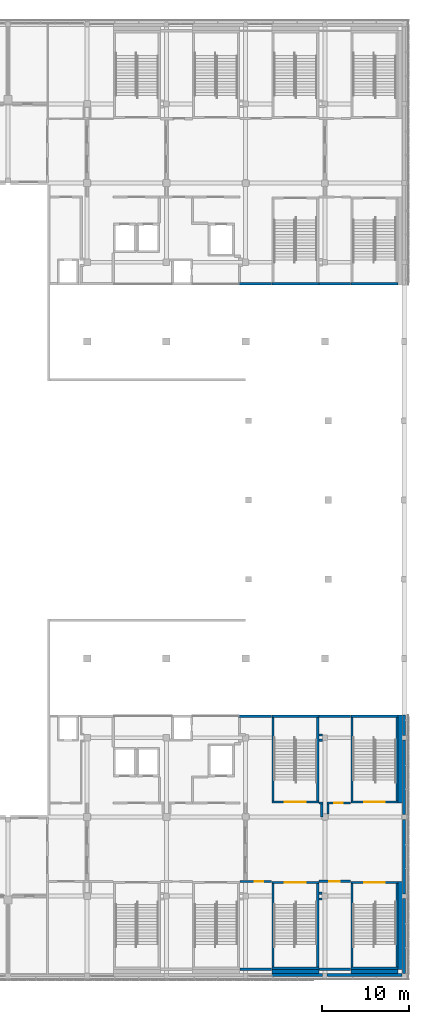
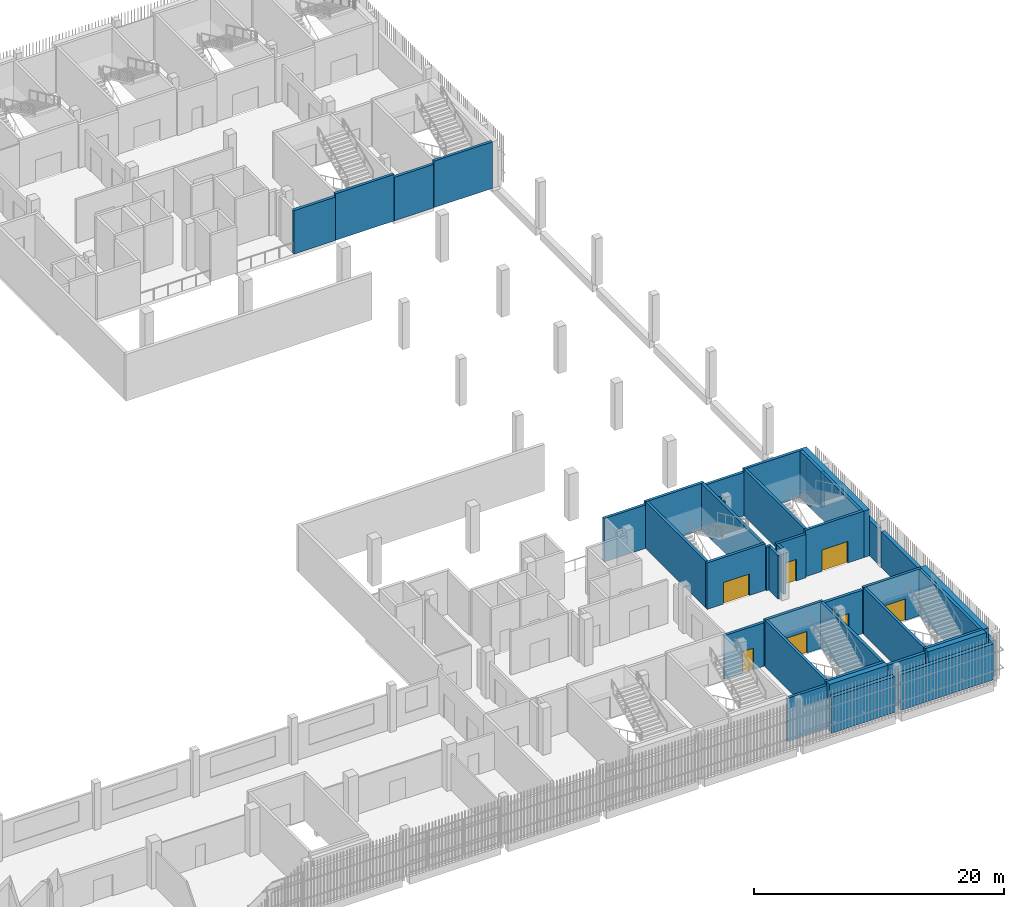
# One storey, part 67 of 104: 44 walls, 7 doors, 7 openings.
"""IFC4 building model written with IfcOpenShell, lengths in metres."""

from ifc_helpers import new_model, si_unit, direction, frame, frame_2d, origin, place, context, subcontext, project, spatial, rectangle, extrude, material, layer, layer_set, type_object, element, fill, save


model = new_model("IFC4")

# Units and contexts
model_context = context("Model", 3, precision=1e-05, world=origin(), true_north=direction((0.0, 1.0)))
body_context = subcontext(model_context, "Body", "Model", "MODEL_VIEW")
ifc_project = project(units=[si_unit("LENGTHUNIT", "METRE"), si_unit("AREAUNIT", "SQUARE_METRE"), si_unit("VOLUMEUNIT", "CUBIC_METRE"), si_unit("PLANEANGLEUNIT", "RADIAN"), si_unit("MASSUNIT", "GRAM", prefix="KILO")], contexts=[model_context])

# Site, building, storey
site_placement = place(None, origin())
site = spatial("IfcSite", under=ifc_project, at=site_placement, CompositionType="ELEMENT")
building_placement = place(site_placement, origin())
building = spatial("IfcBuilding", under=site, at=building_placement, Name="Shirokan Park Arena", CompositionType="ELEMENT")
storey_placement = place(building_placement, frame((0.0, 0.0, 10.919921875)))
storey = spatial("IfcBuildingStorey", under=building, at=storey_placement, Name="L02", CompositionType="ELEMENT", Elevation=10.919921875)

# Wall
ifc_material_1 = material(Name="Plaster")
ifc_layer_1 = layer(ifc_material_1, 0.014892578125, Name="Plaster")
ifc_material_2 = material(Name="Concrete blockwork", Category="masonry")
ifc_layer_2 = layer(ifc_material_2, 0.219970703125, Name="Concrete blockwork 220")
ifc_layer_3 = layer(ifc_material_1, 0.014892578125, Name="Plaster")
ifc_layer_set_1 = layer_set([ifc_layer_1, ifc_layer_2, ifc_layer_3], Name="Plaster + Concrete blockwork 220")
wall_type_1 = type_object("IfcWallType", Name="Compartment wall 250", PredefinedType="SOLIDWALL", material=ifc_layer_set_1)
wall_1_placement = place(storey_placement, frame((126.574951171875, 29.77490234375, 0.0), z_axis=(0.0, 0.0, 1.0), x_axis=(1.0, 0.0, 0.0)))
element("IfcWall", 1, at=wall_1_placement, inside=storey, type_object=wall_type_1, Name="Compartment wall 250 L02", PredefinedType="SOLIDWALL", context=body_context, shape_type="SweptSolid", body=[
    extrude(rectangle(XDim=3.795166015625, YDim=0.25, at=frame_2d((1.8974609375, 0.0))), origin(), (0.0, 0.0, 1.0), 4.25),
])

# Wall, opening, door
wall_2_placement = place(storey_placement, frame((126.72998046875, 10.800048828125, 0.0), z_axis=(0.0, 0.0, 1.0), x_axis=(1.0, 0.0, 0.0)))
wall_2 = element("IfcWall", 2, at=wall_2_placement, inside=storey, type_object=wall_type_1, Name="Compartment wall 250 L02", PredefinedType="SOLIDWALL", context=body_context, shape_type="SweptSolid", body=[
    extrude(rectangle(XDim=3.64013671875, YDim=0.25, at=frame_2d((1.820068359375, 0.0))), origin(), (0.0, 0.0, 1.0), 4.25),
])
opening_1_placement = place(wall_2_placement, frame((1.68994140625, 0.0, 0.0)))
opening_1 = element("IfcOpeningElement", 3, at=opening_1_placement, cuts=wall_2, Name="Opening D-2014", PredefinedType="OPENING", context=body_context, shape_type="SweptSolid", body=[
    extrude(rectangle(XDim=1.0, YDim=2.10009765625, at=frame_2d((0.5, 1.050048828125))), frame((0.0, 0.135009765625, 0.0), z_axis=(0.0, -1.0, 0.0), x_axis=(1.0, 0.0, 0.0)), (0.0, 0.0, 1.0), 0.27001953125),
])
ifc_material_3 = material(Name="Timber door set, fire resisting", Category="wood")
door_type_1 = type_object("IfcDoorType", Name="Door 1000 x 2100", OperationType="SINGLE_SWING_LEFT", PredefinedType="DOOR", material=ifc_material_3)
door_1_placement = place(opening_1_placement, origin())
door_1 = element("IfcDoor", 4, at=door_1_placement, inside=storey, type_object=door_type_1, Name="Door to Glass Wash Room 2.21 D-2014", OperationType="SINGLE_SWING_RIGHT", OverallHeight=2.10009765625, OverallWidth=1.0, PredefinedType="DOOR", context=body_context, shape_type="SweptSolid", body=[
    extrude(rectangle(XDim=1.0, YDim=2.10009765625, at=frame_2d((0.5, 1.050048828125))), frame((0.0, 0.02490234375, 0.0), z_axis=(0.0, -1.0, 0.0), x_axis=(1.0, 0.0, 0.0)), (0.0, 0.0, 1.0), 0.050048828125),
])
fill(opening_1, door_1)

# Walls
wall_3_placement = place(storey_placement, frame((130.3701171875, 0.699951171875, 0.0), z_axis=(0.0, 0.0, 1.0), x_axis=(-1.0, 0.0, 0.0)))
element("IfcWall", 5, at=wall_3_placement, inside=storey, type_object=wall_type_1, Name="Compartment wall 250 L02", PredefinedType="SOLIDWALL", context=body_context, shape_type="SweptSolid", body=[
    extrude(rectangle(XDim=3.64013671875, YDim=0.25, at=frame_2d((1.820068359375, 0.0))), origin(), (0.0, 0.0, 1.0), 4.25),
])
wall_4_placement = place(storey_placement, frame((135.830078125, 19.800048828125, 0.0), z_axis=(0.0, 0.0, 1.0), x_axis=(1.0, 0.0, 0.0)))
element("IfcWall", 6, at=wall_4_placement, inside=storey, type_object=wall_type_1, Name="Compartment wall 250 L02", PredefinedType="SOLIDWALL", context=body_context, shape_type="SweptSolid", body=[
    extrude(rectangle(XDim=0.44482421875, YDim=0.25, at=frame_2d((0.222412109375, 0.0))), origin(), (0.0, 0.0, 1.0), 4.25),
])
wall_5_placement = place(storey_placement, frame((135.830078125, 27.0, 0.0), z_axis=(0.0, 0.0, 1.0), x_axis=(1.0, 0.0, 0.0)))
element("IfcWall", 7, at=wall_5_placement, inside=storey, type_object=wall_type_1, Name="Compartment wall 250 L02", PredefinedType="SOLIDWALL", context=body_context, shape_type="SweptSolid", body=[
    extrude(rectangle(XDim=0.369873046875, YDim=0.25, at=frame_2d((0.18505859375, 0.0))), origin(), (0.0, 0.0, 1.0), 4.25),
])
wall_6_placement = place(storey_placement, frame((135.830078125, 29.77490234375, 0.0), z_axis=(0.0, 0.0, 1.0), x_axis=(1.0, 0.0, 0.0)))
element("IfcWall", 8, at=wall_6_placement, inside=storey, type_object=wall_type_1, Name="Compartment wall 250 L02", PredefinedType="SOLIDWALL", context=body_context, shape_type="SweptSolid", body=[
    extrude(rectangle(XDim=3.639892578125, YDim=0.25, at=frame_2d((1.81982421875, 0.0))), origin(), (0.0, 0.0, 1.0), 4.25),
])
wall_7_placement = place(storey_placement, frame((136.14990234375, 18.199951171875, 0.0), z_axis=(0.0, 0.0, 1.0), x_axis=(0.0, 1.0, 0.0)))
element("IfcWall", 9, at=wall_7_placement, inside=storey, type_object=wall_type_1, Name="Compartment wall 250 L02", PredefinedType="SOLIDWALL", context=body_context, shape_type="SweptSolid", body=[
    extrude(rectangle(XDim=1.47509765625, YDim=0.25, at=frame_2d((0.737548828125, 0.0))), origin(), (0.0, 0.0, 1.0), 4.25),
])
wall_8_placement = place(storey_placement, frame((136.199951171875, 27.60009765625, 0.0), z_axis=(0.0, 0.0, 1.0), x_axis=(-1.0, 0.0, 0.0)))
element("IfcWall", 10, at=wall_8_placement, inside=storey, type_object=wall_type_1, Name="Compartment wall 250 L02", PredefinedType="SOLIDWALL", context=body_context, shape_type="SweptSolid", body=[
    extrude(rectangle(XDim=0.369873046875, YDim=0.25, at=frame_2d((0.18505859375, 0.0))), origin(), (0.0, 0.0, 1.0), 4.25),
])

# Wall, opening, door
wall_9_placement = place(storey_placement, frame((136.72509765625, 19.800048828125, 0.0), z_axis=(0.0, 0.0, 1.0), x_axis=(1.0, 0.0, 0.0)))
wall_9 = element("IfcWall", 11, at=wall_9_placement, inside=storey, type_object=wall_type_1, Name="Compartment wall 250 L02", PredefinedType="SOLIDWALL", context=body_context, shape_type="SweptSolid", body=[
    extrude(rectangle(XDim=2.744873046875, YDim=0.25, at=frame_2d((1.37255859375, 0.0))), origin(), (0.0, 0.0, 1.0), 4.25),
])
opening_2_placement = place(wall_9_placement, frame((0.85009765625, 0.0, 0.0)))
opening_2 = element("IfcOpeningElement", 12, at=opening_2_placement, cuts=wall_9, Name="Opening D-2010", PredefinedType="OPENING", context=body_context, shape_type="SweptSolid", body=[
    extrude(rectangle(XDim=1.0, YDim=2.10009765625, at=frame_2d((0.5, 1.050048828125))), frame((0.0, 0.135009765625, 0.0), z_axis=(0.0, -1.0, 0.0), x_axis=(1.0, 0.0, 0.0)), (0.0, 0.0, 1.0), 0.27001953125),
])
door_2_placement = place(opening_2_placement, origin())
door_2 = element("IfcDoor", 13, at=door_2_placement, inside=storey, type_object=door_type_1, Name="Door to Glass Wash Room 2.27 D-2010", OperationType="SINGLE_SWING_RIGHT", OverallHeight=2.10009765625, OverallWidth=1.0, PredefinedType="DOOR", context=body_context, shape_type="SweptSolid", body=[
    extrude(rectangle(XDim=1.0, YDim=2.10009765625, at=frame_2d((0.5, 1.050048828125))), frame((0.0, 0.02490234375, 0.0), z_axis=(0.0, -1.0, 0.0), x_axis=(1.0, 0.0, 0.0)), (0.0, 0.0, 1.0), 0.050048828125),
])
fill(opening_2, door_2)

# Walls
wall_10_placement = place(storey_placement, frame((136.85009765625, 18.550048828125, 0.0), z_axis=(0.0, 0.0, 1.0), x_axis=(0.0, 1.0, 0.0)))
element("IfcWall", 14, at=wall_10_placement, inside=storey, type_object=wall_type_1, Name="Compartment wall 250 L02", PredefinedType="SOLIDWALL", context=body_context, shape_type="SweptSolid", body=[
    extrude(rectangle(XDim=1.125, YDim=0.25, at=frame_2d((0.5625, 0.0))), origin(), (0.0, 0.0, 1.0), 4.25),
])
wall_11_placement = place(storey_placement, frame((139.469970703125, 79.425048828125, 0.0), z_axis=(0.0, 0.0, 1.0), x_axis=(-1.0, 0.0, 0.0)))
element("IfcWall", 15, at=wall_11_placement, inside=storey, type_object=wall_type_1, Name="Compartment wall 250 L02", PredefinedType="SOLIDWALL", context=body_context, shape_type="SweptSolid", body=[
    extrude(rectangle(XDim=3.639892578125, YDim=0.25, at=frame_2d((1.81982421875, 0.0))), origin(), (0.0, 0.0, 1.0), 4.25),
])
ifc_material_4 = material(Name="Cedar cladding")
ifc_layer_4 = layer(ifc_material_4, 0.030029296875, Name="Cedar cladding")
ifc_material_5 = material(Name="Mineral wool insulation")
ifc_layer_5 = layer(ifc_material_5, 0.10009765625, Name="Mineral wool insulation")
ifc_material_6 = material(Name="Concrete C35", Category="concrete")
ifc_layer_6 = layer(ifc_material_6, 0.199951171875, Name="Concrete C35")
ifc_material_7 = material(Name="Gypsum board lining")
ifc_layer_7 = layer(ifc_material_7, 0.02001953125, Name="Gypsum board lining")
ifc_layer_set_2 = layer_set([ifc_layer_4, ifc_layer_5, ifc_layer_6, ifc_layer_7], Name="Cedar cladding + Mineral wool insulation + Concrete C35 + Gypsum board lining")
wall_type_2 = type_object("IfcWallType", Name="Insulated tower wall 350", PredefinedType="SOLIDWALL", material=ifc_layer_set_2)
wall_12_placement = place(storey_placement, frame((130.39990234375, 0.02490234375, 0.0), z_axis=(0.0, 0.0, 1.0), x_axis=(1.0, 0.0, 0.0)))
element("IfcWall", 16, at=wall_12_placement, inside=storey, type_object=wall_type_2, Name="South facade wall bay 15 L02", PredefinedType="SOLIDWALL", context=body_context, shape_type="SweptSolid", body=[
    extrude(rectangle(XDim=5.85009765625, YDim=0.35009765625, at=frame_2d((2.925048828125, 0.0))), origin(), (0.0, 0.0, 1.0), 3.5),
])
for number, where, z_axis, x_axis, name in (
    (17, (136.75, 0.02490234375, 0.0), (0.0, 0.0, 1.0), (1.0, 0.0, 0.0), "South facade wall bay 16 L02"),
    (18, (145.574951171875, 0.25, 0.0), (0.0, 0.0, 1.0), (0.0, 1.0, 0.0), "East facade wall bay 1 L02"),
):
    element("IfcWall", number, at=place(storey_placement, frame(where, z_axis=z_axis, x_axis=x_axis)), inside=storey, type_object=wall_type_2, Name=name, PredefinedType="SOLIDWALL", context=body_context, shape_type="SweptSolid", body=[
        extrude(rectangle(XDim=8.60009765625, YDim=0.35009765625, at=frame_2d((4.300048828125, 0.0))), origin(), (0.0, 0.0, 1.0), 3.5),
    ])
for number, where, z_axis, x_axis, name in (
    (19, (145.574951171875, 9.35009765625, 0.0), (0.0, 0.0, 1.0), (0.0, 1.0, 0.0), "East facade wall bay 2 L02"),
    (20, (145.574951171875, 18.47509765625, 0.0), (0.0, 0.0, 1.0), (0.0, 1.0, 0.0), "East facade wall bay 3 L02"),
):
    element("IfcWall", number, at=place(storey_placement, frame(where, z_axis=z_axis, x_axis=x_axis)), inside=storey, type_object=wall_type_2, Name=name, PredefinedType="SOLIDWALL", context=body_context, shape_type="SweptSolid", body=[
        extrude(rectangle(XDim=8.574951171875, YDim=0.35009765625, at=frame_2d((4.28759765625, 0.0))), origin(), (0.0, 0.0, 1.0), 3.5),
    ])
wall_13_placement = place(storey_placement, frame((145.574951171875, 27.550048828125, 0.0), z_axis=(0.0, 0.0, 1.0), x_axis=(0.0, 1.0, 0.0)))
element("IfcWall", 21, at=wall_13_placement, inside=storey, type_object=wall_type_2, Name="East facade wall bay 4 L02", PredefinedType="SOLIDWALL", context=body_context, shape_type="SweptSolid", body=[
    extrude(rectangle(XDim=2.349853515625, YDim=0.35009765625, at=frame_2d((1.1748046875, 0.0))), origin(), (0.0, 0.0, 1.0), 3.5),
])
ifc_layer_8 = layer(ifc_material_1, 0.012451171875, Name="Plaster")
ifc_layer_9 = layer(ifc_material_2, 0.25, Name="Concrete blockwork 250")
ifc_layer_10 = layer(ifc_material_1, 0.012451171875, Name="Plaster")
ifc_layer_set_3 = layer_set([ifc_layer_8, ifc_layer_9, ifc_layer_10], Name="Plaster + Concrete blockwork 250")
wall_type_3 = type_object("IfcWallType", Name="Plant room wall 275", PredefinedType="SOLIDWALL", material=ifc_layer_set_3)
wall_14_placement = place(storey_placement, frame((130.3701171875, 79.425048828125, 0.0), z_axis=(0.0, 0.0, 1.0), x_axis=(-1.0, 0.0, 0.0)))
element("IfcWall", 22, at=wall_14_placement, inside=storey, type_object=wall_type_3, Name="Plant room wall 275 L02", PredefinedType="SOLIDWALL", context=body_context, shape_type="SweptSolid", body=[
    extrude(rectangle(XDim=3.8076171875, YDim=0.27490234375, at=frame_2d((1.90380859375, 0.0))), origin(), (0.0, 0.0, 1.0), 4.25),
])
for number, where, z_axis, x_axis, name in (
    (23, (135.830078125, 8.77490234375, 0.0), (0.0, 0.0, 1.0), (1.0, 0.0, 0.0), "Plant room wall 275 L02"),
    (24, (136.175048828125, 9.425048828125, 0.0), (0.0, 0.0, 1.0), (-1.0, 0.0, 0.0), "Plant room wall 275 L02"),
):
    element("IfcWall", number, at=place(storey_placement, frame(where, z_axis=z_axis, x_axis=x_axis)), inside=storey, type_object=wall_type_3, Name=name, PredefinedType="SOLIDWALL", context=body_context, shape_type="SweptSolid", body=[
        extrude(rectangle(XDim=0.344970703125, YDim=0.27490234375, at=frame_2d((0.17236328125, 0.0))), origin(), (0.0, 0.0, 1.0), 4.25),
    ])
wall_15_placement = place(storey_placement, frame((139.469970703125, 0.699951171875, 0.0), z_axis=(0.0, 0.0, 1.0), x_axis=(-1.0, 0.0, 0.0)))
element("IfcWall", 25, at=wall_15_placement, inside=storey, type_object=wall_type_3, Name="Plant room wall 275 L02", PredefinedType="SOLIDWALL", context=body_context, shape_type="SweptSolid", body=[
    extrude(rectangle(XDim=3.639892578125, YDim=0.27490234375, at=frame_2d((1.81982421875, 0.0))), origin(), (0.0, 0.0, 1.0), 4.25),
])

# Wall, opening, door
wall_16_placement = place(storey_placement, frame((139.469970703125, 10.800048828125, 0.0), z_axis=(0.0, 0.0, 1.0), x_axis=(-1.0, 0.0, 0.0)))
wall_16 = element("IfcWall", 26, at=wall_16_placement, inside=storey, type_object=wall_type_3, Name="Plant room wall 275 L02", PredefinedType="SOLIDWALL", context=body_context, shape_type="SweptSolid", body=[
    extrude(rectangle(XDim=3.639892578125, YDim=0.27490234375, at=frame_2d((1.81982421875, 0.0))), origin(), (0.0, 0.0, 1.0), 4.25),
])
opening_3_placement = place(wall_16_placement, frame((1.25, 0.0, 0.0)))
opening_3 = element("IfcOpeningElement", 27, at=opening_3_placement, cuts=wall_16, Name="Opening D-2013", PredefinedType="OPENING", context=body_context, shape_type="SweptSolid", body=[
    extrude(rectangle(XDim=1.199951171875, YDim=2.39990234375, at=frame_2d((0.60009765625, 1.199951171875))), frame((0.0, 0.1474609375, 0.0), z_axis=(0.0, -1.0, 0.0), x_axis=(1.0, 0.0, 0.0)), (0.0, 0.0, 1.0), 0.294921875),
])
ifc_material_8 = material(Name="Louvred steel door set, fire resisting", Category="steel")
door_type_2 = type_object("IfcDoorType", Name="Plant room door 1200 x 2400", OperationType="SINGLE_SWING_LEFT", PredefinedType="DOOR", material=ifc_material_8)
door_3_placement = place(opening_3_placement, origin())
door_3 = element("IfcDoor", 28, at=door_3_placement, inside=storey, type_object=door_type_2, Name="Door to Communications Room 2.20 D-2013", OperationType="SINGLE_SWING_LEFT", OverallHeight=2.39990234375, OverallWidth=1.199951171875, PredefinedType="DOOR", context=body_context, shape_type="SweptSolid", body=[
    extrude(rectangle(XDim=1.199951171875, YDim=2.39990234375, at=frame_2d((0.60009765625, 1.199951171875))), frame((0.0, 0.02490234375, 0.0), z_axis=(0.0, -1.0, 0.0), x_axis=(1.0, 0.0, 0.0)), (0.0, 0.0, 1.0), 0.050048828125),
])
fill(opening_3, door_3)

# Wall
ifc_material_9 = material(Name="Concrete C40/50", Category="concrete")
ifc_layer_11 = layer(ifc_material_9, 0.25)
ifc_layer_set_4 = layer_set([ifc_layer_11], Name="Concrete C40/50 250 mm")
wall_type_4 = type_object("IfcWallType", Name="RC shear wall 250", PredefinedType="SHEAR", material=ifc_layer_set_4)
wall_17_placement = place(storey_placement, frame((144.89990234375, 0.824951171875, 0.0), z_axis=(0.0, 0.0, 1.0), x_axis=(-1.0, 0.0, 0.0)))
element("IfcWall", 29, at=wall_17_placement, inside=storey, type_object=wall_type_4, Name="Shaft wall Exit Stair 2.A S L02", PredefinedType="SHEAR", context=body_context, shape_type="SweptSolid", body=[
    extrude(rectangle(XDim=5.39990234375, YDim=0.25, at=frame_2d((2.699951171875, 0.0))), origin(), (0.0, 0.0, 1.0), 4.550048828125),
])

# Wall, opening, door
wall_18_placement = place(storey_placement, frame((144.89990234375, 10.675048828125, 0.0), z_axis=(0.0, 0.0, 1.0), x_axis=(-1.0, 0.0, 0.0)))
wall_18 = element("IfcWall", 30, at=wall_18_placement, inside=storey, type_object=wall_type_4, Name="Shaft wall Exit Stair 2.A N L02", PredefinedType="SHEAR", context=body_context, shape_type="SweptSolid", body=[
    extrude(rectangle(XDim=5.39990234375, YDim=0.25, at=frame_2d((2.699951171875, 0.0))), origin(), (0.0, 0.0, 1.0), 4.550048828125),
])
opening_4_placement = place(wall_18_placement, frame((1.5, 0.0, 0.0)))
opening_4 = element("IfcOpeningElement", 31, at=opening_4_placement, cuts=wall_18, Name="Opening D-2094", PredefinedType="OPENING", context=body_context, shape_type="SweptSolid", body=[
    extrude(rectangle(XDim=2.39990234375, YDim=2.10009765625, at=frame_2d((1.199951171875, 1.050048828125))), frame((0.0, 0.135009765625, 0.0), z_axis=(0.0, -1.0, 0.0), x_axis=(1.0, 0.0, 0.0)), (0.0, 0.0, 1.0), 0.27001953125),
])
ifc_material_10 = material(Name="Steel door set, fire resisting", Category="steel")
door_type_3 = type_object("IfcDoorType", Name="Stair door 2400 x 2100", OperationType="DOUBLE_DOOR_SINGLE_SWING", PredefinedType="DOOR", material=ifc_material_10)
door_4_placement = place(opening_4_placement, origin())
door_4 = element("IfcDoor", 32, at=door_4_placement, inside=storey, type_object=door_type_3, Name="Stair door Exit Stair 2.A D-2094", OperationType="DOUBLE_DOOR_SINGLE_SWING", OverallHeight=2.10009765625, OverallWidth=2.39990234375, PredefinedType="DOOR", context=body_context, shape_type="SweptSolid", body=[
    extrude(rectangle(XDim=2.39990234375, YDim=2.10009765625, at=frame_2d((1.199951171875, 1.050048828125))), frame((0.0, 0.02490234375, 0.0), z_axis=(0.0, -1.0, 0.0), x_axis=(1.0, 0.0, 0.0)), (0.0, 0.0, 1.0), 0.050048828125),
])
fill(opening_4, door_4)

# Walls
for number, where, z_axis, x_axis, name in (
    (33, (139.625, 10.550048828125, 0.0), (0.0, 0.0, 1.0), (0.0, -1.0, 0.0), "Shaft wall Exit Stair 2.A W L02"),
    (34, (144.77490234375, 10.550048828125, 0.0), (0.0, 0.0, 1.0), (0.0, -1.0, 0.0), "Shaft wall Exit Stair 2.A E L02"),
):
    element("IfcWall", number, at=place(storey_placement, frame(where, z_axis=z_axis, x_axis=x_axis)), inside=storey, type_object=wall_type_4, Name=name, PredefinedType="SHEAR", context=body_context, shape_type="SweptSolid", body=[
        extrude(rectangle(XDim=9.60009765625, YDim=0.25, at=frame_2d((4.800048828125, 0.0))), origin(), (0.0, 0.0, 1.0), 4.550048828125),
    ])
wall_19_placement = place(storey_placement, frame((135.800048828125, 0.824951171875, 0.0), z_axis=(0.0, 0.0, 1.0), x_axis=(-1.0, 0.0, 0.0)))
element("IfcWall", 35, at=wall_19_placement, inside=storey, type_object=wall_type_4, Name="Shaft wall Exit Stair 2.B S L02", PredefinedType="SHEAR", context=body_context, shape_type="SweptSolid", body=[
    extrude(rectangle(XDim=5.400146484375, YDim=0.25, at=frame_2d((2.7001953125, 0.0))), origin(), (0.0, 0.0, 1.0), 4.550048828125),
])

# Wall, opening, door
wall_20_placement = place(storey_placement, frame((135.800048828125, 10.675048828125, 0.0), z_axis=(0.0, 0.0, 1.0), x_axis=(-1.0, 0.0, 0.0)))
wall_20 = element("IfcWall", 36, at=wall_20_placement, inside=storey, type_object=wall_type_4, Name="Shaft wall Exit Stair 2.B N L02", PredefinedType="SHEAR", context=body_context, shape_type="SweptSolid", body=[
    extrude(rectangle(XDim=5.400146484375, YDim=0.25, at=frame_2d((2.7001953125, 0.0))), origin(), (0.0, 0.0, 1.0), 4.550048828125),
])
opening_5_placement = place(wall_20_placement, frame((1.5, 0.0, 0.0)))
opening_5 = element("IfcOpeningElement", 37, at=opening_5_placement, cuts=wall_20, Name="Opening D-2095", PredefinedType="OPENING", context=body_context, shape_type="SweptSolid", body=[
    extrude(rectangle(XDim=2.39990234375, YDim=2.10009765625, at=frame_2d((1.199951171875, 1.050048828125))), frame((0.0, 0.135009765625, 0.0), z_axis=(0.0, -1.0, 0.0), x_axis=(1.0, 0.0, 0.0)), (0.0, 0.0, 1.0), 0.27001953125),
])
door_5_placement = place(opening_5_placement, origin())
door_5 = element("IfcDoor", 38, at=door_5_placement, inside=storey, type_object=door_type_3, Name="Stair door Exit Stair 2.B D-2095", OperationType="DOUBLE_DOOR_SINGLE_SWING", OverallHeight=2.10009765625, OverallWidth=2.39990234375, PredefinedType="DOOR", context=body_context, shape_type="SweptSolid", body=[
    extrude(rectangle(XDim=2.39990234375, YDim=2.10009765625, at=frame_2d((1.199951171875, 1.050048828125))), frame((0.0, 0.02490234375, 0.0), z_axis=(0.0, -1.0, 0.0), x_axis=(1.0, 0.0, 0.0)), (0.0, 0.0, 1.0), 0.050048828125),
])
fill(opening_5, door_5)

# Walls
for number, where, z_axis, x_axis, name in (
    (39, (130.52490234375, 10.550048828125, 0.0), (0.0, 0.0, 1.0), (0.0, -1.0, 0.0), "Shaft wall Exit Stair 2.B W L02"),
    (40, (135.675048828125, 10.550048828125, 0.0), (0.0, 0.0, 1.0), (0.0, -1.0, 0.0), "Shaft wall Exit Stair 2.B E L02"),
):
    element("IfcWall", number, at=place(storey_placement, frame(where, z_axis=z_axis, x_axis=x_axis)), inside=storey, type_object=wall_type_4, Name=name, PredefinedType="SHEAR", context=body_context, shape_type="SweptSolid", body=[
        extrude(rectangle(XDim=9.60009765625, YDim=0.25, at=frame_2d((4.800048828125, 0.0))), origin(), (0.0, 0.0, 1.0), 4.550048828125),
    ])

# Wall, opening, door
wall_21_placement = place(storey_placement, frame((144.89990234375, 19.925048828125, 0.0), z_axis=(0.0, 0.0, 1.0), x_axis=(-1.0, 0.0, 0.0)))
wall_21 = element("IfcWall", 41, at=wall_21_placement, inside=storey, type_object=wall_type_4, Name="Shaft wall Exit Stair 2.E S L02", PredefinedType="SHEAR", context=body_context, shape_type="SweptSolid", body=[
    extrude(rectangle(XDim=5.39990234375, YDim=0.25, at=frame_2d((2.699951171875, 0.0))), origin(), (0.0, 0.0, 1.0), 4.550048828125),
])
opening_6_placement = place(wall_21_placement, frame((1.5, 0.0, 0.0)))
opening_6 = element("IfcOpeningElement", 42, at=opening_6_placement, cuts=wall_21, Name="Opening D-2098", PredefinedType="OPENING", context=body_context, shape_type="SweptSolid", body=[
    extrude(rectangle(XDim=2.39990234375, YDim=2.10009765625, at=frame_2d((1.199951171875, 1.050048828125))), frame((0.0, 0.135009765625, 0.0), z_axis=(0.0, -1.0, 0.0), x_axis=(1.0, 0.0, 0.0)), (0.0, 0.0, 1.0), 0.27001953125),
])
door_6_placement = place(opening_6_placement, origin())
door_6 = element("IfcDoor", 43, at=door_6_placement, inside=storey, type_object=door_type_3, Name="Stair door Exit Stair 2.E D-2098", OperationType="DOUBLE_DOOR_SINGLE_SWING", OverallHeight=2.10009765625, OverallWidth=2.39990234375, PredefinedType="DOOR", context=body_context, shape_type="SweptSolid", body=[
    extrude(rectangle(XDim=2.39990234375, YDim=2.10009765625, at=frame_2d((1.199951171875, 1.050048828125))), frame((0.0, 0.02490234375, 0.0), z_axis=(0.0, -1.0, 0.0), x_axis=(1.0, 0.0, 0.0)), (0.0, 0.0, 1.0), 0.050048828125),
])
fill(opening_6, door_6)

# Walls
wall_22_placement = place(storey_placement, frame((144.89990234375, 29.77490234375, 0.0), z_axis=(0.0, 0.0, 1.0), x_axis=(-1.0, 0.0, 0.0)))
element("IfcWall", 44, at=wall_22_placement, inside=storey, type_object=wall_type_4, Name="Shaft wall Exit Stair 2.E N L02", PredefinedType="SHEAR", context=body_context, shape_type="SweptSolid", body=[
    extrude(rectangle(XDim=5.39990234375, YDim=0.25, at=frame_2d((2.699951171875, 0.0))), origin(), (0.0, 0.0, 1.0), 4.550048828125),
])
for number, where, z_axis, x_axis, name in (
    (45, (139.625, 29.64990234375, 0.0), (0.0, 0.0, 1.0), (0.0, -1.0, 0.0), "Shaft wall Exit Stair 2.E W L02"),
    (46, (144.77490234375, 29.64990234375, 0.0), (0.0, 0.0, 1.0), (0.0, -1.0, 0.0), "Shaft wall Exit Stair 2.E E L02"),
):
    element("IfcWall", number, at=place(storey_placement, frame(where, z_axis=z_axis, x_axis=x_axis)), inside=storey, type_object=wall_type_4, Name=name, PredefinedType="SHEAR", context=body_context, shape_type="SweptSolid", body=[
        extrude(rectangle(XDim=9.599853515625, YDim=0.25, at=frame_2d((4.7998046875, 0.0))), origin(), (0.0, 0.0, 1.0), 4.550048828125),
    ])

# Wall, opening, door
wall_23_placement = place(storey_placement, frame((135.800048828125, 19.925048828125, 0.0), z_axis=(0.0, 0.0, 1.0), x_axis=(-1.0, 0.0, 0.0)))
wall_23 = element("IfcWall", 47, at=wall_23_placement, inside=storey, type_object=wall_type_4, Name="Shaft wall Exit Stair 2.F S L02", PredefinedType="SHEAR", context=body_context, shape_type="SweptSolid", body=[
    extrude(rectangle(XDim=5.400146484375, YDim=0.25, at=frame_2d((2.7001953125, 0.0))), origin(), (0.0, 0.0, 1.0), 4.550048828125),
])
opening_7_placement = place(wall_23_placement, frame((1.5, 0.0, 0.0)))
opening_7 = element("IfcOpeningElement", 48, at=opening_7_placement, cuts=wall_23, Name="Opening D-2099", PredefinedType="OPENING", context=body_context, shape_type="SweptSolid", body=[
    extrude(rectangle(XDim=2.39990234375, YDim=2.10009765625, at=frame_2d((1.199951171875, 1.050048828125))), frame((0.0, 0.135009765625, 0.0), z_axis=(0.0, -1.0, 0.0), x_axis=(1.0, 0.0, 0.0)), (0.0, 0.0, 1.0), 0.27001953125),
])
door_7_placement = place(opening_7_placement, origin())
door_7 = element("IfcDoor", 49, at=door_7_placement, inside=storey, type_object=door_type_3, Name="Stair door Exit Stair 2.F D-2099", OperationType="DOUBLE_DOOR_SINGLE_SWING", OverallHeight=2.10009765625, OverallWidth=2.39990234375, PredefinedType="DOOR", context=body_context, shape_type="SweptSolid", body=[
    extrude(rectangle(XDim=2.39990234375, YDim=2.10009765625, at=frame_2d((1.199951171875, 1.050048828125))), frame((0.0, 0.02490234375, 0.0), z_axis=(0.0, -1.0, 0.0), x_axis=(1.0, 0.0, 0.0)), (0.0, 0.0, 1.0), 0.050048828125),
])
fill(opening_7, door_7)

# Walls
wall_24_placement = place(storey_placement, frame((135.800048828125, 29.77490234375, 0.0), z_axis=(0.0, 0.0, 1.0), x_axis=(-1.0, 0.0, 0.0)))
element("IfcWall", 50, at=wall_24_placement, inside=storey, type_object=wall_type_4, Name="Shaft wall Exit Stair 2.F N L02", PredefinedType="SHEAR", context=body_context, shape_type="SweptSolid", body=[
    extrude(rectangle(XDim=5.400146484375, YDim=0.25, at=frame_2d((2.7001953125, 0.0))), origin(), (0.0, 0.0, 1.0), 4.550048828125),
])
for number, where, z_axis, x_axis, name in (
    (51, (130.52490234375, 29.64990234375, 0.0), (0.0, 0.0, 1.0), (0.0, -1.0, 0.0), "Shaft wall Exit Stair 2.F W L02"),
    (52, (135.675048828125, 29.64990234375, 0.0), (0.0, 0.0, 1.0), (0.0, -1.0, 0.0), "Shaft wall Exit Stair 2.F E L02"),
):
    element("IfcWall", number, at=place(storey_placement, frame(where, z_axis=z_axis, x_axis=x_axis)), inside=storey, type_object=wall_type_4, Name=name, PredefinedType="SHEAR", context=body_context, shape_type="SweptSolid", body=[
        extrude(rectangle(XDim=9.599853515625, YDim=0.25, at=frame_2d((4.7998046875, 0.0))), origin(), (0.0, 0.0, 1.0), 4.550048828125),
    ])
wall_25_placement = place(storey_placement, frame((144.89990234375, 79.425048828125, 0.0), z_axis=(0.0, 0.0, 1.0), x_axis=(-1.0, 0.0, 0.0)))
element("IfcWall", 53, at=wall_25_placement, inside=storey, type_object=wall_type_4, Name="Shaft wall Exit Stair 3.E S L02", PredefinedType="SHEAR", context=body_context, shape_type="SweptSolid", body=[
    extrude(rectangle(XDim=5.39990234375, YDim=0.25, at=frame_2d((2.699951171875, 0.0))), origin(), (0.0, 0.0, 1.0), 4.550048828125),
])
wall_26_placement = place(storey_placement, frame((135.800048828125, 79.425048828125, 0.0), z_axis=(0.0, 0.0, 1.0), x_axis=(-1.0, 0.0, 0.0)))
element("IfcWall", 54, at=wall_26_placement, inside=storey, type_object=wall_type_4, Name="Shaft wall Exit Stair 3.F S L02", PredefinedType="SHEAR", context=body_context, shape_type="SweptSolid", body=[
    extrude(rectangle(XDim=5.400146484375, YDim=0.25, at=frame_2d((2.7001953125, 0.0))), origin(), (0.0, 0.0, 1.0), 4.550048828125),
])
ifc_layer_12 = layer(ifc_material_6, 0.5)
ifc_layer_set_5 = layer_set([ifc_layer_12], Name="Concrete C35 500 mm")
wall_type_5 = type_object("IfcWallType", Name="Shaft infill wall 500", PredefinedType="SOLIDWALL", material=ifc_layer_set_5)
wall_27_placement = place(storey_placement, frame((139.5, 0.449951171875, 0.0), z_axis=(0.0, 0.0, 1.0), x_axis=(1.0, 0.0, 0.0)))
element("IfcWall", 55, at=wall_27_placement, inside=storey, type_object=wall_type_5, Name="Shaft infill wall L02", PredefinedType="SOLIDWALL", context=body_context, shape_type="SweptSolid", body=[
    extrude(rectangle(XDim=5.39990234375, YDim=0.5, at=frame_2d((2.699951171875, 0.0))), origin(), (0.0, 0.0, 1.0), 4.550048828125),
])
wall_28_placement = place(storey_placement, frame((145.14990234375, 0.699951171875, 0.0), z_axis=(0.0, 0.0, 1.0), x_axis=(0.0, 1.0, 0.0)))
element("IfcWall", 56, at=wall_28_placement, inside=storey, type_object=wall_type_5, Name="Shaft infill wall L02", PredefinedType="SOLIDWALL", context=body_context, shape_type="SweptSolid", body=[
    extrude(rectangle(XDim=10.10009765625, YDim=0.5, at=frame_2d((5.050048828125, 0.0))), origin(), (0.0, 0.0, 1.0), 4.550048828125),
])
wall_29_placement = place(storey_placement, frame((130.39990234375, 0.449951171875, 0.0), z_axis=(0.0, 0.0, 1.0), x_axis=(1.0, 0.0, 0.0)))
element("IfcWall", 57, at=wall_29_placement, inside=storey, type_object=wall_type_5, Name="Shaft infill wall L02", PredefinedType="SOLIDWALL", context=body_context, shape_type="SweptSolid", body=[
    extrude(rectangle(XDim=5.400146484375, YDim=0.5, at=frame_2d((2.7001953125, 0.0))), origin(), (0.0, 0.0, 1.0), 4.550048828125),
])
wall_30_placement = place(storey_placement, frame((145.14990234375, 19.800048828125, 0.0), z_axis=(0.0, 0.0, 1.0), x_axis=(0.0, 1.0, 0.0)))
element("IfcWall", 58, at=wall_30_placement, inside=storey, type_object=wall_type_5, Name="Shaft infill wall L02", PredefinedType="SOLIDWALL", context=body_context, shape_type="SweptSolid", body=[
    extrude(rectangle(XDim=10.099853515625, YDim=0.5, at=frame_2d((5.0498046875, 0.0))), origin(), (0.0, 0.0, 1.0), 4.550048828125),
])

save(model, "model.ifc")
